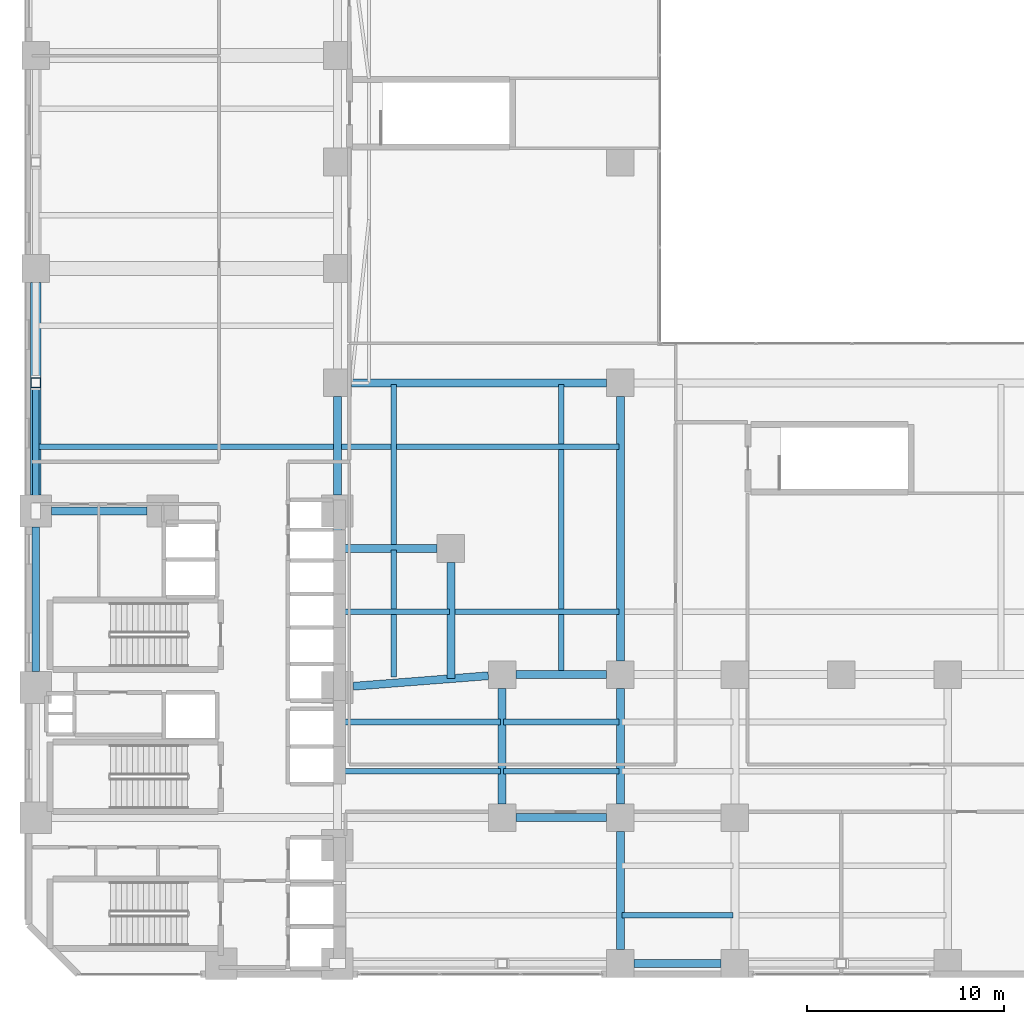
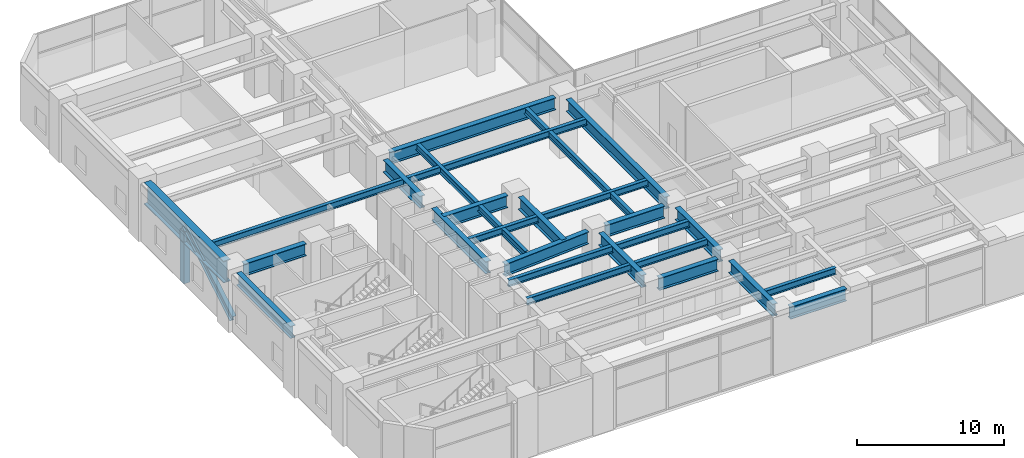
# One storey, part 5 of 29: 29 beams, 1 member.
"""IFC4 building model written with IfcOpenShell, lengths in metres."""

from ifc_helpers import new_model, si_unit, direction, frame, origin, origin_2d, place, context, subcontext, project, spatial, hollow_rectangle, i_section, extrude, material, material_profile, profile_set, type_object, element, save


model = new_model("IFC4")

# Units and contexts
model_context = context("Model", 3, precision=1e-05, world=origin(), true_north=direction((0.0, 1.0)))
body_context = subcontext(model_context, "Body", "Model", "MODEL_VIEW")
ifc_project = project(units=[si_unit("LENGTHUNIT", "METRE"), si_unit("AREAUNIT", "SQUARE_METRE"), si_unit("VOLUMEUNIT", "CUBIC_METRE"), si_unit("PLANEANGLEUNIT", "RADIAN"), si_unit("MASSUNIT", "GRAM", prefix="KILO")], contexts=[model_context])

# Site, building, storey
site_placement = place(None, origin())
site = spatial("IfcSite", under=ifc_project, at=site_placement, CompositionType="ELEMENT")
building_placement = place(site_placement, origin())
building = spatial("IfcBuilding", under=site, at=building_placement, Name="Mawjaban Terraces University", CompositionType="ELEMENT")
storey_placement = place(building_placement, frame((0.0, 0.0, 20.800048828125)))
storey = spatial("IfcBuildingStorey", under=building, at=storey_placement, Name="L04", CompositionType="ELEMENT", Elevation=20.800048828125)

# Beams
ifc_material_1 = material(Name="Steel ASTM A913 Grade 65", Category="steel")
ifc_material_profile_1 = material_profile(ifc_material_1, i_section(OverallWidth=0.402099609375, OverallDepth=1.011962890625, WebThickness=0.02392578125, FlangeThickness=0.0400390625, at=origin_2d()), Name="W1000X443")
ifc_profile_set_1 = profile_set([ifc_material_profile_1], Name="Steel ASTM A913 Grade 65")
beam_type_1 = type_object("IfcBeamType", Name="Beam_B_W1000X443", PredefinedType="BEAM", material=ifc_profile_set_1)
beam_1_placement = place(storey_placement, frame((52.699951171875, 0.550048828125, 4.27392578125), z_axis=(1.0, 0.0, 0.0), x_axis=(0.0, 1.0, 0.0)))
element("IfcBeam", 1, at=beam_1_placement, inside=storey, type_object=beam_type_1, Name="L04 Beam BM-L04-EW-02", PredefinedType="BEAM", context=body_context, shape_type="SweptSolid", body=[
    extrude(i_section(OverallWidth=0.402099609375, OverallDepth=1.011962890625, WebThickness=0.02392578125, FlangeThickness=0.0400390625, at=origin_2d()), origin(), (0.0, 0.0, 1.0), 4.400146484375),
])
for number, where, z_axis, x_axis, name in (
    (2, (46.699951171875, 7.949951171875, 4.27392578125), (1.0, 0.0, 0.0), (0.0, 1.0, 0.0), "L04 Beam BM-L04-EW-05"),
    (3, (46.699951171875, 15.199951171875, 4.27392578125), (1.0, 0.0, 0.0), (0.0, 1.0, 0.0), "L04 Beam BM-L04-EW-07"),
):
    element("IfcBeam", number, at=place(storey_placement, frame(where, z_axis=z_axis, x_axis=x_axis)), inside=storey, type_object=beam_type_1, Name=name, PredefinedType="BEAM", context=body_context, shape_type="SweptSolid", body=[
        extrude(i_section(OverallWidth=0.402099609375, OverallDepth=1.011962890625, WebThickness=0.02392578125, FlangeThickness=0.0400390625, at=origin_2d()), origin(), (0.0, 0.0, 1.0), 4.60009765625),
    ])
beam_2_placement = place(storey_placement, frame((23.14990234375, 23.5, 4.27392578125), z_axis=(1.0, 0.0, 0.0), x_axis=(0.0, 1.0, 0.0)))
element("IfcBeam", 4, at=beam_2_placement, inside=storey, type_object=beam_type_1, Name="L04 Beam BM-L04-EW-12", PredefinedType="BEAM", context=body_context, shape_type="SweptSolid", body=[
    extrude(i_section(OverallWidth=0.402099609375, OverallDepth=1.011962890625, WebThickness=0.02392578125, FlangeThickness=0.0400390625, at=origin_2d()), origin(), (0.0, 0.0, 1.0), 4.85009765625),
])
beam_3_placement = place(storey_placement, frame((38.35009765625, 30.0, 4.27392578125), z_axis=(1.0, 0.0, 0.0), x_axis=(0.0, 1.0, 0.0)))
element("IfcBeam", 5, at=beam_3_placement, inside=storey, type_object=beam_type_1, Name="L04 Beam BM-L04-EW-13", PredefinedType="BEAM", context=body_context, shape_type="SweptSolid", body=[
    extrude(i_section(OverallWidth=0.402099609375, OverallDepth=1.011962890625, WebThickness=0.02392578125, FlangeThickness=0.0400390625, at=origin_2d()), origin(), (0.0, 0.0, 1.0), 12.949951171875),
])
for number, where, z_axis, x_axis, name in (
    (6, (22.35009765625, 15.35009765625, 4.27392578125), (0.0, 1.0, 0.0), (-1.0, 0.0, 0.0), "L04 Beam BM-L04-NS-02"),
    (7, (37.64990234375, 15.35009765625, 4.27392578125), (0.0, 1.0, 0.0), (-1.0, 0.0, 0.0), "L04 Beam BM-L04-NS-07"),
):
    element("IfcBeam", number, at=place(storey_placement, frame(where, z_axis=z_axis, x_axis=x_axis)), inside=storey, type_object=beam_type_1, Name=name, PredefinedType="BEAM", context=body_context, shape_type="SweptSolid", body=[
        extrude(i_section(OverallWidth=0.402099609375, OverallDepth=1.011962890625, WebThickness=0.02392578125, FlangeThickness=0.0400390625, at=origin_2d()), origin(), (0.0, 0.0, 1.0), 7.349853515625),
    ])
beam_4_placement = place(storey_placement, frame((37.64990234375, 24.300048828125, 4.27392578125), z_axis=(0.0, 1.0, 0.0), x_axis=(-1.0, 0.0, 0.0)))
element("IfcBeam", 8, at=beam_4_placement, inside=storey, type_object=beam_type_1, Name="L04 Beam BM-L04-NS-08", PredefinedType="BEAM", context=body_context, shape_type="SweptSolid", body=[
    extrude(i_section(OverallWidth=0.402099609375, OverallDepth=1.011962890625, WebThickness=0.02392578125, FlangeThickness=0.0400390625, at=origin_2d()), origin(), (0.0, 0.0, 1.0), 5.0),
])
beam_5_placement = place(storey_placement, frame((46.0, 8.64990234375, 4.27392578125), z_axis=(0.0, 1.0, 0.0), x_axis=(-1.0, 0.0, 0.0)))
element("IfcBeam", 9, at=beam_5_placement, inside=storey, type_object=beam_type_1, Name="L04 Beam BM-L04-NS-13", PredefinedType="BEAM", context=body_context, shape_type="SweptSolid", body=[
    extrude(i_section(OverallWidth=0.402099609375, OverallDepth=1.011962890625, WebThickness=0.02392578125, FlangeThickness=0.0400390625, at=origin_2d()), origin(), (0.0, 0.0, 1.0), 5.85009765625),
])
beam_6_placement = place(storey_placement, frame((52.0, 1.25, 4.27392578125), z_axis=(0.0, 1.0, 0.0), x_axis=(-1.0, 0.0, 0.0)))
element("IfcBeam", 10, at=beam_6_placement, inside=storey, type_object=beam_type_1, Name="L04 Beam BM-L04-NS-14", PredefinedType="BEAM", context=body_context, shape_type="SweptSolid", body=[
    extrude(i_section(OverallWidth=0.402099609375, OverallDepth=1.011962890625, WebThickness=0.02392578125, FlangeThickness=0.0400390625, at=origin_2d()), origin(), (0.0, 0.0, 1.0), 6.0),
])
beam_7_placement = place(storey_placement, frame((52.0, 8.64990234375, 4.27392578125), z_axis=(0.0, 1.0, 0.0), x_axis=(-1.0, 0.0, 0.0)))
element("IfcBeam", 11, at=beam_7_placement, inside=storey, type_object=beam_type_1, Name="L04 Beam BM-L04-NS-15", PredefinedType="BEAM", context=body_context, shape_type="SweptSolid", body=[
    extrude(i_section(OverallWidth=0.402099609375, OverallDepth=1.011962890625, WebThickness=0.02392578125, FlangeThickness=0.0400390625, at=origin_2d()), origin(), (0.0, 0.0, 1.0), 5.85009765625),
])
beam_8_placement = place(storey_placement, frame((52.0, 15.89990234375, 4.27392578125), z_axis=(0.0, 1.0, 0.0), x_axis=(-1.0, 0.0, 0.0)))
element("IfcBeam", 12, at=beam_8_placement, inside=storey, type_object=beam_type_1, Name="L04 Beam BM-L04-NS-16", PredefinedType="BEAM", context=body_context, shape_type="SweptSolid", body=[
    extrude(i_section(OverallWidth=0.402099609375, OverallDepth=1.011962890625, WebThickness=0.02392578125, FlangeThickness=0.0400390625, at=origin_2d()), origin(), (0.0, 0.0, 1.0), 13.400146484375),
])
beam_9_placement = place(storey_placement, frame((38.447998046875, 14.612060546875, 4.27392578125), z_axis=(0.996979437792, 0.077665955348, 0.0), x_axis=(-0.077665955348, 0.996979437792, 0.0)))
element("IfcBeam", 13, at=beam_9_placement, inside=storey, type_object=beam_type_1, Name="L04 Beam BM-L04-CTIE", PredefinedType="BEAM", context=body_context, shape_type="SweptSolid", body=[
    extrude(i_section(OverallWidth=0.402099609375, OverallDepth=1.011962890625, WebThickness=0.02392578125, FlangeThickness=0.0400390625, at=origin_2d()), origin(), (0.0, 0.0, 1.0), 6.874755859375),
])
beam_10_placement = place(storey_placement, frame((37.679931640625, 21.60009765625, 4.27392578125), z_axis=(1.0, 0.0, 0.0), x_axis=(0.0, 1.0, 0.0)))
element("IfcBeam", 14, at=beam_10_placement, inside=storey, type_object=beam_type_1, Name="L04 Spur Tie Girder West", PredefinedType="BEAM", context=body_context, shape_type="SweptSolid", body=[
    extrude(i_section(OverallWidth=0.402099609375, OverallDepth=1.011962890625, WebThickness=0.02392578125, FlangeThickness=0.0400390625, at=origin_2d()), origin(), (0.0, 0.0, 1.0), 5.02001953125),
])
beam_11_placement = place(storey_placement, frame((43.39990234375, 15.0, 4.27392578125), z_axis=(0.0, 1.0, 0.0), x_axis=(-1.0, 0.0, 0.0)))
element("IfcBeam", 15, at=beam_11_placement, inside=storey, type_object=beam_type_1, Name="L04 Spur Tie Girder South", PredefinedType="BEAM", context=body_context, shape_type="SweptSolid", body=[
    extrude(i_section(OverallWidth=0.402099609375, OverallDepth=1.011962890625, WebThickness=0.02392578125, FlangeThickness=0.0400390625, at=origin_2d()), origin(), (0.0, 0.0, 1.0), 5.89990234375),
])
ifc_material_2 = material(Name="Steel ASTM A572 Grade 50", Category="steel")
ifc_material_profile_2 = material_profile(ifc_material_2, i_section(OverallWidth=0.281005859375, OverallDepth=0.551025390625, WebThickness=0.01513671875, FlangeThickness=0.02587890625, at=origin_2d()), Name="W530X182")
ifc_profile_set_2 = profile_set([ifc_material_profile_2], Name="Steel ASTM A572 Grade 50")
beam_type_2 = type_object("IfcBeamType", Name="Beam_J_W530X182", PredefinedType="JOIST", material=ifc_profile_set_2)
beam_12_placement = place(storey_placement, frame((52.080078125, 3.0, 4.50390625), z_axis=(1.0, 0.0, 0.0), x_axis=(0.0, 1.0, 0.0)))
element("IfcBeam", 16, at=beam_12_placement, inside=storey, type_object=beam_type_2, Name="L04 Composite Joist JST-L04-02", PredefinedType="JOIST", context=body_context, shape_type="SweptSolid", body=[
    extrude(i_section(OverallWidth=0.281005859375, OverallDepth=0.551025390625, WebThickness=0.01513671875, FlangeThickness=0.02587890625, at=origin_2d()), origin(), (0.0, 0.0, 1.0), 5.639892578125),
])
beam_13_placement = place(storey_placement, frame((37.72998046875, 10.300048828125, 4.50390625), z_axis=(1.0, 0.0, 0.0), x_axis=(0.0, 1.0, 0.0)))
element("IfcBeam", 17, at=beam_13_placement, inside=storey, type_object=beam_type_2, Name="L04 Composite Joist JST-L04-07", PredefinedType="JOIST", context=body_context, shape_type="SweptSolid", body=[
    extrude(i_section(OverallWidth=0.281005859375, OverallDepth=0.551025390625, WebThickness=0.01513671875, FlangeThickness=0.02587890625, at=origin_2d()), origin(), (0.0, 0.0, 1.0), 8.18994140625),
])
beam_14_placement = place(storey_placement, frame((46.080078125, 10.300048828125, 4.50390625), z_axis=(1.0, 0.0, 0.0), x_axis=(0.0, 1.0, 0.0)))
element("IfcBeam", 18, at=beam_14_placement, inside=storey, type_object=beam_type_2, Name="L04 Composite Joist JST-L04-08", PredefinedType="JOIST", context=body_context, shape_type="SweptSolid", body=[
    extrude(i_section(OverallWidth=0.281005859375, OverallDepth=0.551025390625, WebThickness=0.01513671875, FlangeThickness=0.02587890625, at=origin_2d()), origin(), (0.0, 0.0, 1.0), 5.83984375),
])
beam_15_placement = place(storey_placement, frame((37.72998046875, 12.800048828125, 4.50390625), z_axis=(1.0, 0.0, 0.0), x_axis=(0.0, 1.0, 0.0)))
element("IfcBeam", 19, at=beam_15_placement, inside=storey, type_object=beam_type_2, Name="L04 Composite Joist JST-L04-11", PredefinedType="JOIST", context=body_context, shape_type="SweptSolid", body=[
    extrude(i_section(OverallWidth=0.281005859375, OverallDepth=0.551025390625, WebThickness=0.01513671875, FlangeThickness=0.02587890625, at=origin_2d()), origin(), (0.0, 0.0, 1.0), 8.18994140625),
])
beam_16_placement = place(storey_placement, frame((46.080078125, 12.800048828125, 4.50390625), z_axis=(1.0, 0.0, 0.0), x_axis=(0.0, 1.0, 0.0)))
element("IfcBeam", 20, at=beam_16_placement, inside=storey, type_object=beam_type_2, Name="L04 Composite Joist JST-L04-12", PredefinedType="JOIST", context=body_context, shape_type="SweptSolid", body=[
    extrude(i_section(OverallWidth=0.281005859375, OverallDepth=0.551025390625, WebThickness=0.01513671875, FlangeThickness=0.02587890625, at=origin_2d()), origin(), (0.0, 0.0, 1.0), 5.83984375),
])
beam_17_placement = place(storey_placement, frame((37.72998046875, 18.39990234375, 4.50390625), z_axis=(1.0, 0.0, 0.0), x_axis=(0.0, 1.0, 0.0)))
element("IfcBeam", 21, at=beam_17_placement, inside=storey, type_object=beam_type_2, Name="L04 Composite Joist JST-L04-15", PredefinedType="JOIST", context=body_context, shape_type="SweptSolid", body=[
    extrude(i_section(OverallWidth=0.281005859375, OverallDepth=0.551025390625, WebThickness=0.01513671875, FlangeThickness=0.02587890625, at=origin_2d()), origin(), (0.0, 0.0, 1.0), 5.590087890625),
])
beam_18_placement = place(storey_placement, frame((43.47998046875, 18.39990234375, 4.50390625), z_axis=(1.0, 0.0, 0.0), x_axis=(0.0, 1.0, 0.0)))
element("IfcBeam", 22, at=beam_18_placement, inside=storey, type_object=beam_type_2, Name="L04 Composite Joist JST-L04-16", PredefinedType="JOIST", context=body_context, shape_type="SweptSolid", body=[
    extrude(i_section(OverallWidth=0.281005859375, OverallDepth=0.551025390625, WebThickness=0.01513671875, FlangeThickness=0.02587890625, at=origin_2d()), origin(), (0.0, 0.0, 1.0), 8.43994140625),
])
beam_19_placement = place(storey_placement, frame((22.429931640625, 26.75, 4.50390625), z_axis=(1.0, 0.0, 0.0), x_axis=(0.0, 1.0, 0.0)))
element("IfcBeam", 23, at=beam_19_placement, inside=storey, type_object=beam_type_2, Name="L04 Composite Joist JST-L04-18", PredefinedType="JOIST", context=body_context, shape_type="SweptSolid", body=[
    extrude(i_section(OverallWidth=0.281005859375, OverallDepth=0.551025390625, WebThickness=0.01513671875, FlangeThickness=0.02587890625, at=origin_2d()), origin(), (0.0, 0.0, 1.0), 15.14013671875),
])
beam_20_placement = place(storey_placement, frame((37.72998046875, 26.75, 4.50390625), z_axis=(1.0, 0.0, 0.0), x_axis=(0.0, 1.0, 0.0)))
element("IfcBeam", 24, at=beam_20_placement, inside=storey, type_object=beam_type_2, Name="L04 Composite Joist JST-L04-19", PredefinedType="JOIST", context=body_context, shape_type="SweptSolid", body=[
    extrude(i_section(OverallWidth=0.281005859375, OverallDepth=0.551025390625, WebThickness=0.01513671875, FlangeThickness=0.02587890625, at=origin_2d()), origin(), (0.0, 0.0, 1.0), 14.18994140625),
])
beam_21_placement = place(storey_placement, frame((40.5, 15.080078125, 4.50390625), z_axis=(0.0, 1.0, 0.0), x_axis=(-1.0, 0.0, 0.0)))
element("IfcBeam", 25, at=beam_21_placement, inside=storey, type_object=beam_type_2, Name="L04 Composite Joist JST-L04-NS-23", PredefinedType="JOIST", context=body_context, shape_type="SweptSolid", body=[
    extrude(i_section(OverallWidth=0.281005859375, OverallDepth=0.551025390625, WebThickness=0.01513671875, FlangeThickness=0.02587890625, at=origin_2d()), origin(), (0.0, 0.0, 1.0), 6.43994140625),
])
beam_22_placement = place(storey_placement, frame((40.5, 21.679931640625, 4.50390625), z_axis=(0.0, 1.0, 0.0), x_axis=(-1.0, 0.0, 0.0)))
element("IfcBeam", 26, at=beam_22_placement, inside=storey, type_object=beam_type_2, Name="L04 Composite Joist JST-L04-NS-24", PredefinedType="JOIST", context=body_context, shape_type="SweptSolid", body=[
    extrude(i_section(OverallWidth=0.281005859375, OverallDepth=0.551025390625, WebThickness=0.01513671875, FlangeThickness=0.02587890625, at=origin_2d()), origin(), (0.0, 0.0, 1.0), 8.239990234375),
])
beam_23_placement = place(storey_placement, frame((49.0, 15.280029296875, 4.50390625), z_axis=(0.0, 1.0, 0.0), x_axis=(-1.0, 0.0, 0.0)))
element("IfcBeam", 27, at=beam_23_placement, inside=storey, type_object=beam_type_2, Name="L04 Composite Joist JST-L04-NS-25", PredefinedType="JOIST", context=body_context, shape_type="SweptSolid", body=[
    extrude(i_section(OverallWidth=0.281005859375, OverallDepth=0.551025390625, WebThickness=0.01513671875, FlangeThickness=0.02587890625, at=origin_2d()), origin(), (0.0, 0.0, 1.0), 14.639892578125),
])
ifc_material_profile_3 = material_profile(ifc_material_2, i_section(OverallWidth=0.550048828125, OverallDepth=1.800048828125, WebThickness=0.031982421875, FlangeThickness=0.054931640625, at=origin_2d()), Name="PG1800X550")
ifc_profile_set_3 = profile_set([ifc_material_profile_3], Name="Steel ASTM A572 Grade 50")
beam_type_3 = type_object("IfcBeamType", Name="Beam_TG_PG1800X550", PredefinedType="BEAM", material=ifc_profile_set_3)
beam_24_placement = place(storey_placement, frame((22.35009765625, 24.300048828125, 3.8798828125), z_axis=(0.0, 1.0, 0.0), x_axis=(-1.0, 0.0, 0.0)))
element("IfcBeam", 28, at=beam_24_placement, inside=storey, type_object=beam_type_3, Name="L04 Beam BM-L04-NS-03", PredefinedType="BEAM", context=body_context, shape_type="SweptSolid", body=[
    extrude(i_section(OverallWidth=0.550048828125, OverallDepth=1.800048828125, WebThickness=0.031982421875, FlangeThickness=0.054931640625, at=origin_2d()), origin(), (0.0, 0.0, 1.0), 10.800048828125),
])
ifc_material_profile_4 = material_profile(ifc_material_1, i_section(OverallWidth=0.3291015625, OverallDepth=0.635009765625, WebThickness=0.017822265625, FlangeThickness=0.031005859375, at=origin_2d()), Name="W610X241")
ifc_profile_set_4 = profile_set([ifc_material_profile_4], Name="Steel ASTM A913 Grade 65")
beam_type_4 = type_object("IfcBeamType", Name="Beam_TTV_W610X241", PredefinedType="BEAM", material=ifc_profile_set_4)
beam_25_placement = place(storey_placement, frame((22.35009765625, 23.5, 0.449951171875), z_axis=(0.0, 0.858663135037, 0.512540359901), x_axis=(-1.0, 0.0, 0.0)))
element("IfcBeam", 29, at=beam_25_placement, inside=storey, type_object=beam_type_4, Name="L04 Exterior Portal Strut TP-W1-1", PredefinedType="BEAM", context=body_context, shape_type="SweptSolid", body=[
    extrude(i_section(OverallWidth=0.3291015625, OverallDepth=0.635009765625, WebThickness=0.017822265625, FlangeThickness=0.031005859375, at=origin_2d()), origin(), (0.0, 0.0, 1.0), 7.56982421875),
])

# Member
ifc_material_3 = material(Name="Steel EN 10210-1 S355J2H", Category="steel")
ifc_material_profile_5 = material_profile(ifc_material_3, hollow_rectangle(XDim=0.5, YDim=0.5, WallThickness=0.02490234375, at=origin_2d()), Name="SHS500X500X25")
ifc_profile_set_5 = profile_set([ifc_material_profile_5], Name="Steel EN 10210-1 S355J2H")
member_type = type_object("IfcMemberType", Name="Mem_STRUT_SHS500X500X25", PredefinedType="STRUT", material=ifc_profile_set_5)
member_placement = place(storey_placement, frame((22.35009765625, 30.0, -0.420166015625), z_axis=(0.0, 0.0, 1.0), x_axis=(1.0, 0.0, 0.0)))
element("IfcMember", 30, at=member_placement, inside=storey, type_object=member_type, Name="L04 Portal Vertical Strut TP-W1", PredefinedType="STRUT", context=body_context, shape_type="SweptSolid", body=[
    extrude(hollow_rectangle(XDim=0.5, YDim=0.5, WallThickness=0.02490234375, at=origin_2d()), origin(), (0.0, 0.0, 1.0), 4.300048828125),
])

save(model, "model.ifc")
